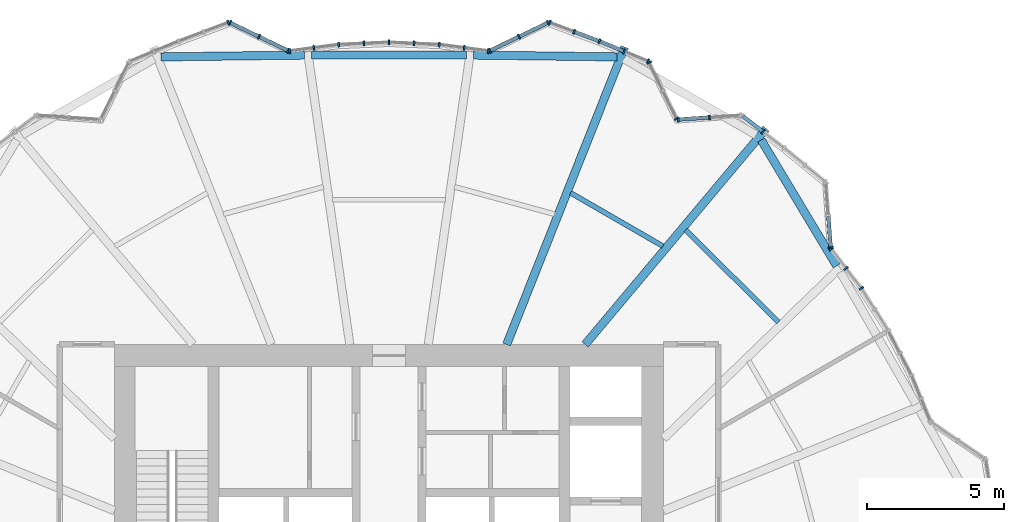
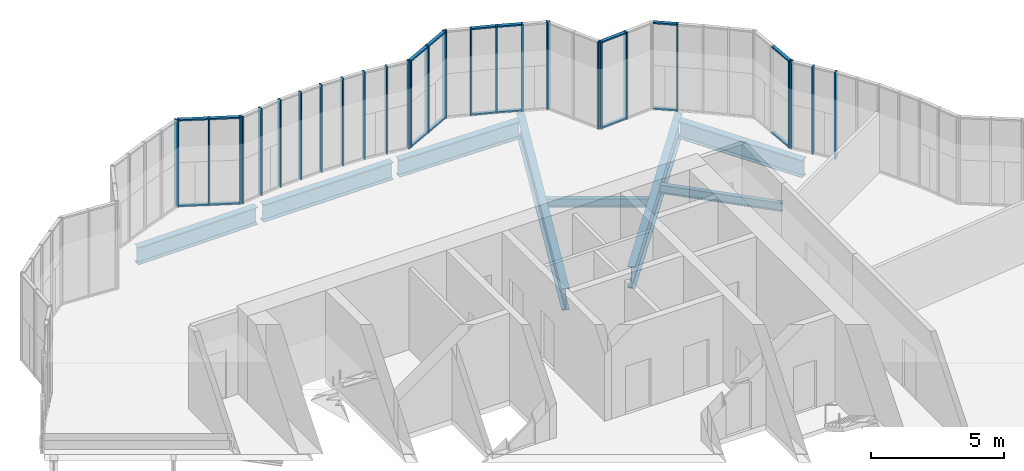
# One storey, part 7 of 22: 48 members, 8 beams, 15 elements without a shape of their own.
"""IFC4 building model written with IfcOpenShell, lengths in metres."""

from ifc_helpers import new_model, si_unit, direction, frame, origin, origin_2d, place, context, subcontext, project, spatial, rectangle, i_section, extrude, material, material_profile, profile_set, type_object, element, aggregate, save


model = new_model("IFC4")

# Units and contexts
model_context = context("Model", 3, precision=1e-05, world=origin(), true_north=direction((0.0, 1.0)))
body_context = subcontext(model_context, "Body", "Model", "MODEL_VIEW")
ifc_project = project(units=[si_unit("LENGTHUNIT", "METRE"), si_unit("AREAUNIT", "SQUARE_METRE"), si_unit("VOLUMEUNIT", "CUBIC_METRE"), si_unit("PLANEANGLEUNIT", "RADIAN"), si_unit("MASSUNIT", "GRAM", prefix="KILO")], contexts=[model_context])

# Site, building, storey
site_placement = place(None, origin())
site = spatial("IfcSite", under=ifc_project, at=site_placement, CompositionType="ELEMENT")
building_placement = place(site_placement, origin())
building = spatial("IfcBuilding", under=site, at=building_placement, Name="Golbaran Civic Tower", CompositionType="ELEMENT")
storey_placement = place(building_placement, frame((0.0, 0.0, 29.0)))
storey = spatial("IfcBuildingStorey", under=building, at=storey_placement, Name="L06", CompositionType="ELEMENT", Elevation=29.0)

# Beams
ifc_material_1 = material(Name="Steel S355", Category="steel")
ifc_material_profile_1 = material_profile(ifc_material_1, i_section(OverallWidth=0.300048828125, OverallDepth=0.800048828125, WebThickness=0.017578125, FlangeThickness=0.032958984375, FilletRadius=0.030029296875, at=origin_2d()), Name="HEB 800")
ifc_profile_set_1 = profile_set([ifc_material_profile_1], Name="Steel S355")
beam_type_1 = type_object("IfcBeamType", Name="EDGE BEAM HEB 800", PredefinedType="BEAM", material=ifc_profile_set_1)
beam_1_placement = place(storey_placement, frame((16.306640625, 12.86474609375, -0.60009765625), z_axis=(-0.514509191059, 0.85748486419, 0.0), x_axis=(-0.85748486419, -0.514509191059, 0.0)))
element("IfcBeam", 1, at=beam_1_placement, inside=storey, type_object=beam_type_1, Name="Edge beam 38.17 L06", PredefinedType="BEAM", context=body_context, shape_type="SweptSolid", body=[
    extrude(i_section(OverallWidth=0.300048828125, OverallDepth=0.800048828125, WebThickness=0.017578125, FlangeThickness=0.032958984375, FilletRadius=0.030029296875, at=origin_2d()), origin(), (0.0, 0.0, 1.0), 5.344482421875),
])
beam_2_placement = place(storey_placement, frame((8.302734375, 20.47509765625, -0.60009765625), z_axis=(-0.999918616473, 0.012757759606, 0.0), x_axis=(-0.012757759606, -0.999918616473, 0.0)))
element("IfcBeam", 2, at=beam_2_placement, inside=storey, type_object=beam_type_1, Name="Edge beam 67.63 L06", PredefinedType="BEAM", context=body_context, shape_type="SweptSolid", body=[
    extrude(i_section(OverallWidth=0.300048828125, OverallDepth=0.800048828125, WebThickness=0.017578125, FlangeThickness=0.032958984375, FilletRadius=0.030029296875, at=origin_2d()), origin(), (0.0, 0.0, 1.0), 5.224365234375),
])
beam_3_placement = place(storey_placement, frame((2.81640625, 20.54345703125, -0.60009765625), z_axis=(-1.0, 0.0, 0.0), x_axis=(0.0, -1.0, 0.0)))
element("IfcBeam", 3, at=beam_3_placement, inside=storey, type_object=beam_type_1, Name="Edge beam 81.83 L06", PredefinedType="BEAM", context=body_context, shape_type="SweptSolid", body=[
    extrude(i_section(OverallWidth=0.300048828125, OverallDepth=0.800048828125, WebThickness=0.017578125, FlangeThickness=0.032958984375, FilletRadius=0.030029296875, at=origin_2d()), origin(), (0.0, 0.0, 1.0), 5.6328125),
])
beam_4_placement = place(storey_placement, frame((-3.078857421875, 20.541748046875, -0.60009765625), z_axis=(-0.999918616473, -0.012757759606, 0.0), x_axis=(0.012757759606, -0.999918616473, 0.0)))
element("IfcBeam", 4, at=beam_4_placement, inside=storey, type_object=beam_type_1, Name="Edge beam 98.17 L06", PredefinedType="BEAM", context=body_context, shape_type="SweptSolid", body=[
    extrude(i_section(OverallWidth=0.300048828125, OverallDepth=0.800048828125, WebThickness=0.017578125, FlangeThickness=0.032958984375, FilletRadius=0.030029296875, at=origin_2d()), origin(), (0.0, 0.0, 1.0), 5.224365234375),
])
ifc_material_profile_2 = material_profile(ifc_material_1, i_section(OverallWidth=0.179931640625, OverallDepth=0.39990234375, WebThickness=0.008544921875, FlangeThickness=0.013427734375, FilletRadius=0.02099609375, at=origin_2d()), Name="IPE 400")
ifc_profile_set_2 = profile_set([ifc_material_profile_2], Name="Steel S355")
beam_type_2 = type_object("IfcBeamType", Name="FLOOR INFILL BEAM IPE 400", PredefinedType="BEAM", material=ifc_profile_set_2)
beam_5_placement = place(storey_placement, frame((14.18994140625, 10.813232421875, -0.39990234375), z_axis=(-0.710429956517, 0.703767914077, 0.0), x_axis=(-0.703767914077, -0.710429956517, 0.0)))
element("IfcBeam", 5, at=beam_5_placement, inside=storey, type_object=beam_type_2, Name="Infill beam 45.27 L06", PredefinedType="BEAM", context=body_context, shape_type="SweptSolid", body=[
    extrude(i_section(OverallWidth=0.179931640625, OverallDepth=0.39990234375, WebThickness=0.008544921875, FlangeThickness=0.013427734375, FilletRadius=0.02099609375, at=origin_2d()), origin(), (0.0, 0.0, 1.0), 4.76416015625),
])
beam_6_placement = place(storey_placement, frame((9.97607421875, 13.58154296875, -0.39990234375), z_axis=(-0.866023143435, 0.50000391502, 0.0), x_axis=(-0.50000391502, -0.866023143435, 0.0)))
element("IfcBeam", 6, at=beam_6_placement, inside=storey, type_object=beam_type_2, Name="Infill beam 60.00 L06", PredefinedType="BEAM", context=body_context, shape_type="SweptSolid", body=[
    extrude(i_section(OverallWidth=0.179931640625, OverallDepth=0.39990234375, WebThickness=0.008544921875, FlangeThickness=0.013427734375, FilletRadius=0.02099609375, at=origin_2d()), origin(), (0.0, 0.0, 1.0), 3.87939453125),
])

# Curtain wall, member
ifc_material_2 = material(Name="Aluminium and glass", Category="aluminium")
curtain_wall_type = type_object("IfcCurtainWallType", Name="INNER SKIN CURTAIN WALL", PredefinedType="NOTDEFINED", material=ifc_material_2)
curtain_wall_1_placement = place(storey_placement, origin())
curtain_wall_1 = element("IfcCurtainWall", 7, at=curtain_wall_1_placement, inside=storey, type_object=curtain_wall_type, Name="Inner skin L06 facet 7 CW1", ObjectType="INNER SKIN", PredefinedType="USERDEFINED")
ifc_material_3 = material(Name="Aluminium", Category="aluminium")
ifc_material_profile_3 = material_profile(ifc_material_3, rectangle(XDim=0.179931640625, YDim=0.06494140625, at=origin_2d()), Name="INNER SKIN CURTAIN WALL MULLION")
ifc_profile_set_3 = profile_set([ifc_material_profile_3], Name="Aluminium")
member_type_1 = type_object("IfcMemberType", Name="INNER SKIN CURTAIN WALL MULLION", PredefinedType="MULLION", material=ifc_profile_set_3)
member_1_placement = place(storey_placement, frame((17.206298828125, 12.0478515625, 0.0), z_axis=(0.0, 0.0, 1.0), x_axis=(-0.819152044349, -0.573576436265, 0.0)))
member_1 = element("IfcMember", 8, at=member_1_placement, type_object=member_type_1, Name="CW1 mullion 3", PredefinedType="MULLION", context=body_context, shape_type="SweptSolid", body=[
    extrude(rectangle(XDim=0.179931640625, YDim=0.06494140625, at=origin_2d()), origin(), (0.0, 0.0, 1.0), 4.0),
])
aggregate(curtain_wall_1, [member_1])

# Curtain wall, members
curtain_wall_2_placement = place(storey_placement, origin())
curtain_wall_2 = element("IfcCurtainWall", 9, at=curtain_wall_2_placement, inside=storey, type_object=curtain_wall_type, Name="Inner skin L06 facet 8 CW1", ObjectType="INNER SKIN", PredefinedType="USERDEFINED")
member_2_placement = place(storey_placement, frame((16.6484375, 12.77490234375, 0.0), z_axis=(0.0, 0.0, 1.0), x_axis=(-0.793353340259, -0.60876142905, 0.0)))
member_2 = element("IfcMember", 10, at=member_2_placement, type_object=member_type_1, Name="CW1 mullion 2", PredefinedType="MULLION", context=body_context, shape_type="SweptSolid", body=[
    extrude(rectangle(XDim=0.179931640625, YDim=0.06494140625, at=origin_2d()), origin(), (0.0, 0.0, 1.0), 4.0),
])
member_3_placement = place(storey_placement, frame((16.110595703125, 13.47607421875, 0.0), z_axis=(0.0, 0.0, 1.0), x_axis=(-0.793353340259, -0.60876142905, 0.0)))
member_3 = element("IfcMember", 11, at=member_3_placement, type_object=member_type_1, Name="CW1 mullion 3", PredefinedType="MULLION", context=body_context, shape_type="SweptSolid", body=[
    extrude(rectangle(XDim=0.179931640625, YDim=0.06494140625, at=origin_2d()), origin(), (0.0, 0.0, 1.0), 4.0),
])
aggregate(curtain_wall_2, [member_2, member_3])

# Curtain wall, member
curtain_wall_3_placement = place(storey_placement, origin())
curtain_wall_3 = element("IfcCurtainWall", 12, at=curtain_wall_3_placement, inside=storey, type_object=curtain_wall_type, Name="Inner skin L06 facet 9 CW1", ObjectType="INNER SKIN", PredefinedType="USERDEFINED")
member_4_placement = place(storey_placement, frame((16.08837890625, 13.5341796875, 0.0), z_axis=(0.0, 0.0, 1.0), x_axis=(-0.997238388272, -0.074267065092, 0.0)))
member_4 = element("IfcMember", 13, at=member_4_placement, type_object=member_type_1, Name="CW1 mullion 1", PredefinedType="MULLION", context=body_context, shape_type="SweptSolid", body=[
    extrude(rectangle(XDim=0.179931640625, YDim=0.06494140625, at=origin_2d()), origin(), (0.0, 0.0, 1.0), 4.0),
])

curtain_wall_4_placement = place(storey_placement, origin())
curtain_wall_4 = element("IfcCurtainWall", 14, at=curtain_wall_4_placement, inside=storey, type_object=curtain_wall_type, Name="Inner skin L06 facet 11 CW1", ObjectType="INNER SKIN", PredefinedType="USERDEFINED")
member_5_placement = place(storey_placement, frame((13.6220703125, 17.752685546875, 0.0), z_axis=(0.0, 0.0, 1.0), x_axis=(-0.608761428856, -0.793353340408, 0.0)))
member_5 = element("IfcMember", 15, at=member_5_placement, type_object=member_type_1, Name="CW1 mullion 2", PredefinedType="MULLION", context=body_context, shape_type="SweptSolid", body=[
    extrude(rectangle(XDim=0.179931640625, YDim=0.06494140625, at=origin_2d()), origin(), (0.0, 0.0, 1.0), 4.0),
])

# Curtain wall, members
curtain_wall_5_placement = place(storey_placement, origin())
curtain_wall_5 = element("IfcCurtainWall", 16, at=curtain_wall_5_placement, inside=storey, type_object=curtain_wall_type, Name="Inner skin L06 facet 12 CW1", ObjectType="INNER SKIN", PredefinedType="USERDEFINED")
member_6_placement = place(storey_placement, frame((11.6748046875, 18.26904296875, 0.0), z_axis=(0.0, 0.0, 1.0), x_axis=(0.066606384387, -0.99777932909, 0.0)))
member_6 = element("IfcMember", 17, at=member_6_placement, type_object=member_type_1, Name="CW1 mullion 2", PredefinedType="MULLION", context=body_context, shape_type="SweptSolid", body=[
    extrude(rectangle(XDim=0.179931640625, YDim=0.06494140625, at=origin_2d()), origin(), (0.0, 0.0, 1.0), 4.0),
])
member_7_placement = place(storey_placement, frame((10.534912109375, 18.193115234375, 0.0), z_axis=(0.0, 0.0, 1.0), x_axis=(0.066606384387, -0.99777932909, 0.0)))
member_7 = element("IfcMember", 18, at=member_7_placement, type_object=member_type_1, Name="CW1 mullion 3", PredefinedType="MULLION", context=body_context, shape_type="SweptSolid", body=[
    extrude(rectangle(XDim=0.179931640625, YDim=0.06494140625, at=origin_2d()), origin(), (0.0, 0.0, 1.0), 4.0),
])

curtain_wall_6_placement = place(storey_placement, origin())
curtain_wall_6 = element("IfcCurtainWall", 19, at=curtain_wall_6_placement, inside=storey, type_object=curtain_wall_type, Name="Inner skin L06 facet 13 CW1", ObjectType="INNER SKIN", PredefinedType="USERDEFINED")
member_8_placement = place(storey_placement, frame((10.48828125, 18.219970703125, 0.0), z_axis=(0.0, 0.0, 1.0), x_axis=(-0.897405438418, -0.441206843893, 0.0)))
member_8 = element("IfcMember", 20, at=member_8_placement, type_object=member_type_1, Name="CW1 mullion 1", PredefinedType="MULLION", context=body_context, shape_type="SweptSolid", body=[
    extrude(rectangle(XDim=0.179931640625, YDim=0.06494140625, at=origin_2d()), origin(), (0.0, 0.0, 1.0), 4.0),
])
member_9_placement = place(storey_placement, frame((9.480224609375, 20.270263671875, 0.0), z_axis=(0.0, 0.0, 1.0), x_axis=(-0.897405438418, -0.441206843893, 0.0)))
member_9 = element("IfcMember", 21, at=member_9_placement, type_object=member_type_1, Name="CW1 mullion 3", PredefinedType="MULLION", context=body_context, shape_type="SweptSolid", body=[
    extrude(rectangle(XDim=0.179931640625, YDim=0.06494140625, at=origin_2d()), origin(), (0.0, 0.0, 1.0), 4.0),
])
aggregate(curtain_wall_6, [member_8, member_9])

curtain_wall_7_placement = place(storey_placement, origin())
curtain_wall_7 = element("IfcCurtainWall", 22, at=curtain_wall_7_placement, inside=storey, type_object=curtain_wall_type, Name="Inner skin L06 facet 14 CW1", ObjectType="INNER SKIN", PredefinedType="USERDEFINED")
member_10_placement = place(storey_placement, frame((9.435791015625, 20.31201171875, 0.0), z_axis=(0.0, 0.0, 1.0), x_axis=(-0.382683432268, -0.923879532551, 0.0)))
member_10 = element("IfcMember", 23, at=member_10_placement, type_object=member_type_1, Name="CW1 mullion 1", PredefinedType="MULLION", context=body_context, shape_type="SweptSolid", body=[
    extrude(rectangle(XDim=0.179931640625, YDim=0.06494140625, at=origin_2d()), origin(), (0.0, 0.0, 1.0), 4.0),
])
member_11_placement = place(storey_placement, frame((8.563232421875, 20.67333984375, 0.0), z_axis=(0.0, 0.0, 1.0), x_axis=(-0.382683432268, -0.923879532551, 0.0)))
member_11 = element("IfcMember", 24, at=member_11_placement, type_object=member_type_1, Name="CW1 mullion 2", PredefinedType="MULLION", context=body_context, shape_type="SweptSolid", body=[
    extrude(rectangle(XDim=0.179931640625, YDim=0.06494140625, at=origin_2d()), origin(), (0.0, 0.0, 1.0), 4.0),
])
member_12_placement = place(storey_placement, frame((7.66064453125, 21.047119140625, 0.0), z_axis=(0.0, 0.0, 1.0), x_axis=(-0.366799627898, -0.930299969351, 0.0)))
member_12 = element("IfcMember", 25, at=member_12_placement, type_object=member_type_1, Name="CW1 mullion 3", PredefinedType="MULLION", context=body_context, shape_type="SweptSolid", body=[
    extrude(rectangle(XDim=0.179931640625, YDim=0.06494140625, at=origin_2d()), origin(), (0.0, 0.0, 1.0), 4.0),
])

curtain_wall_8_placement = place(storey_placement, origin())
curtain_wall_8 = element("IfcCurtainWall", 26, at=curtain_wall_8_placement, inside=storey, type_object=curtain_wall_type, Name="Inner skin L06 facet 15 CW1", ObjectType="INNER SKIN", PredefinedType="USERDEFINED")
member_13_placement = place(storey_placement, frame((6.7421875, 21.391357421875, 0.0), z_axis=(0.0, 0.0, 1.0), x_axis=(-0.350808161461, -0.936447347079, 0.0)))
member_13 = element("IfcMember", 27, at=member_13_placement, type_object=member_type_1, Name="CW1 mullion 2", PredefinedType="MULLION", context=body_context, shape_type="SweptSolid", body=[
    extrude(rectangle(XDim=0.179931640625, YDim=0.06494140625, at=origin_2d()), origin(), (0.0, 0.0, 1.0), 4.0),
])
member_14_placement = place(storey_placement, frame((5.8544921875, 21.723876953125, 0.0), z_axis=(0.0, 0.0, 1.0), x_axis=(-0.350808161461, -0.936447347079, 0.0)))
member_14 = element("IfcMember", 28, at=member_14_placement, type_object=member_type_1, Name="CW1 mullion 3", PredefinedType="MULLION", context=body_context, shape_type="SweptSolid", body=[
    extrude(rectangle(XDim=0.179931640625, YDim=0.06494140625, at=origin_2d()), origin(), (0.0, 0.0, 1.0), 4.0),
])

curtain_wall_9_placement = place(storey_placement, origin())
curtain_wall_9 = element("IfcCurtainWall", 29, at=curtain_wall_9_placement, inside=storey, type_object=curtain_wall_type, Name="Inner skin L06 facet 16 CW1", ObjectType="INNER SKIN", PredefinedType="USERDEFINED")
member_15_placement = place(storey_placement, frame((5.794677734375, 21.72119140625, 0.0), z_axis=(0.0, 0.0, 1.0), x_axis=(0.434302029259, -0.900767310343, 0.0)))
member_15 = element("IfcMember", 30, at=member_15_placement, type_object=member_type_1, Name="CW1 mullion 1", PredefinedType="MULLION", context=body_context, shape_type="SweptSolid", body=[
    extrude(rectangle(XDim=0.179931640625, YDim=0.06494140625, at=origin_2d()), origin(), (0.0, 0.0, 1.0), 4.0),
])
member_16_placement = place(storey_placement, frame((4.735595703125, 21.210693359375, 0.0), z_axis=(0.0, 0.0, 1.0), x_axis=(0.434302029259, -0.900767310343, 0.0)))
member_16 = element("IfcMember", 31, at=member_16_placement, type_object=member_type_1, Name="CW1 mullion 2", PredefinedType="MULLION", context=body_context, shape_type="SweptSolid", body=[
    extrude(rectangle(XDim=0.179931640625, YDim=0.06494140625, at=origin_2d()), origin(), (0.0, 0.0, 1.0), 4.0),
])
member_17_placement = place(storey_placement, frame((3.6767578125, 20.699951171875, 0.0), z_axis=(0.0, 0.0, 1.0), x_axis=(0.434302029259, -0.900767310343, 0.0)))
member_17 = element("IfcMember", 32, at=member_17_placement, type_object=member_type_1, Name="CW1 mullion 3", PredefinedType="MULLION", context=body_context, shape_type="SweptSolid", body=[
    extrude(rectangle(XDim=0.179931640625, YDim=0.06494140625, at=origin_2d()), origin(), (0.0, 0.0, 1.0), 4.0),
])

curtain_wall_10_placement = place(storey_placement, origin())
curtain_wall_10 = element("IfcCurtainWall", 33, at=curtain_wall_10_placement, inside=storey, type_object=curtain_wall_type, Name="Inner skin L06 facet 17 CW1", ObjectType="INNER SKIN", PredefinedType="USERDEFINED")
member_18_placement = place(storey_placement, frame((3.615234375, 20.690185546875, 0.0), z_axis=(0.0, 0.0, 1.0), x_axis=(-0.130526191978, -0.991444861406, 0.0)))
member_18 = element("IfcMember", 34, at=member_18_placement, type_object=member_type_1, Name="CW1 mullion 1", PredefinedType="MULLION", context=body_context, shape_type="SweptSolid", body=[
    extrude(rectangle(XDim=0.179931640625, YDim=0.06494140625, at=origin_2d()), origin(), (0.0, 0.0, 1.0), 4.0),
])
member_19_placement = place(storey_placement, frame((2.739013671875, 20.805419921875, 0.0), z_axis=(0.0, 0.0, 1.0), x_axis=(-0.130526191978, -0.991444861406, 0.0)))
member_19 = element("IfcMember", 35, at=member_19_placement, type_object=member_type_1, Name="CW1 mullion 2", PredefinedType="MULLION", context=body_context, shape_type="SweptSolid", body=[
    extrude(rectangle(XDim=0.179931640625, YDim=0.06494140625, at=origin_2d()), origin(), (0.0, 0.0, 1.0), 4.0),
])
member_20_placement = place(storey_placement, frame((1.830810546875, 20.925048828125, 0.0), z_axis=(0.0, 0.0, 1.0), x_axis=(-0.087155742748, -0.996194698092, 0.0)))
member_20 = element("IfcMember", 36, at=member_20_placement, type_object=member_type_1, Name="CW1 mullion 3", PredefinedType="MULLION", context=body_context, shape_type="SweptSolid", body=[
    extrude(rectangle(XDim=0.179931640625, YDim=0.06494140625, at=origin_2d()), origin(), (0.0, 0.0, 1.0), 4.0),
])
aggregate(curtain_wall_10, [member_18, member_19, member_20])

curtain_wall_11_placement = place(storey_placement, origin())
curtain_wall_11 = element("IfcCurtainWall", 37, at=curtain_wall_11_placement, inside=storey, type_object=curtain_wall_type, Name="Inner skin L06 facet 18 CW1", ObjectType="INNER SKIN", PredefinedType="USERDEFINED")
member_21_placement = place(storey_placement, frame((0.915283203125, 20.965087890625, 0.0), z_axis=(0.0, 0.0, 1.0), x_axis=(-0.043619387609, -0.999048221571, 0.0)))
member_21 = element("IfcMember", 38, at=member_21_placement, type_object=member_type_1, Name="CW1 mullion 2", PredefinedType="MULLION", context=body_context, shape_type="SweptSolid", body=[
    extrude(rectangle(XDim=0.179931640625, YDim=0.06494140625, at=origin_2d()), origin(), (0.0, 0.0, 1.0), 4.0),
])
member_22_placement = place(storey_placement, frame((0.0, 21.0048828125, 0.0), z_axis=(0.0, 0.0, 1.0), x_axis=(-1.22e-10, -1.0, 0.0)))
member_22 = element("IfcMember", 39, at=member_22_placement, type_object=member_type_1, Name="CW1 mullion 3", PredefinedType="MULLION", context=body_context, shape_type="SweptSolid", body=[
    extrude(rectangle(XDim=0.179931640625, YDim=0.06494140625, at=origin_2d()), origin(), (0.0, 0.0, 1.0), 4.0),
])
aggregate(curtain_wall_11, [member_21, member_22])

curtain_wall_12_placement = place(storey_placement, origin())
curtain_wall_12 = element("IfcCurtainWall", 40, at=curtain_wall_12_placement, inside=storey, type_object=curtain_wall_type, Name="Inner skin L06 facet 19 CW1", ObjectType="INNER SKIN", PredefinedType="USERDEFINED")
member_23_placement = place(storey_placement, frame((-0.915283203125, 20.965087890625, 0.0), z_axis=(0.0, 0.0, 1.0), x_axis=(0.043619387609, -0.999048221571, 0.0)))
member_23 = element("IfcMember", 41, at=member_23_placement, type_object=member_type_1, Name="CW1 mullion 2", PredefinedType="MULLION", context=body_context, shape_type="SweptSolid", body=[
    extrude(rectangle(XDim=0.179931640625, YDim=0.06494140625, at=origin_2d()), origin(), (0.0, 0.0, 1.0), 4.0),
])
member_24_placement = place(storey_placement, frame((-1.830810546875, 20.925048828125, 0.0), z_axis=(0.0, 0.0, 1.0), x_axis=(0.08715574273, -0.996194698093, 0.0)))
member_24 = element("IfcMember", 42, at=member_24_placement, type_object=member_type_1, Name="CW1 mullion 3", PredefinedType="MULLION", context=body_context, shape_type="SweptSolid", body=[
    extrude(rectangle(XDim=0.179931640625, YDim=0.06494140625, at=origin_2d()), origin(), (0.0, 0.0, 1.0), 4.0),
])
aggregate(curtain_wall_12, [member_23, member_24])

curtain_wall_13_placement = place(storey_placement, origin())
curtain_wall_13 = element("IfcCurtainWall", 43, at=curtain_wall_13_placement, inside=storey, type_object=curtain_wall_type, Name="Inner skin L06 facet 20 CW1", ObjectType="INNER SKIN", PredefinedType="USERDEFINED")
member_25_placement = place(storey_placement, frame((-2.739013671875, 20.805419921875, 0.0), z_axis=(0.0, 0.0, 1.0), x_axis=(0.130526191978, -0.991444861406, 0.0)))
member_25 = element("IfcMember", 44, at=member_25_placement, type_object=member_type_1, Name="CW1 mullion 2", PredefinedType="MULLION", context=body_context, shape_type="SweptSolid", body=[
    extrude(rectangle(XDim=0.179931640625, YDim=0.06494140625, at=origin_2d()), origin(), (0.0, 0.0, 1.0), 4.0),
])
member_26_placement = place(storey_placement, frame((-3.615234375, 20.690185546875, 0.0), z_axis=(0.0, 0.0, 1.0), x_axis=(0.130526191978, -0.991444861406, 0.0)))
member_26 = element("IfcMember", 45, at=member_26_placement, type_object=member_type_1, Name="CW1 mullion 3", PredefinedType="MULLION", context=body_context, shape_type="SweptSolid", body=[
    extrude(rectangle(XDim=0.179931640625, YDim=0.06494140625, at=origin_2d()), origin(), (0.0, 0.0, 1.0), 4.0),
])
aggregate(curtain_wall_13, [member_25, member_26])

curtain_wall_14_placement = place(storey_placement, origin())
curtain_wall_14 = element("IfcCurtainWall", 46, at=curtain_wall_14_placement, inside=storey, type_object=curtain_wall_type, Name="Inner skin L06 facet 21 CW1", ObjectType="INNER SKIN", PredefinedType="USERDEFINED")
member_27_placement = place(storey_placement, frame((-3.6767578125, 20.699951171875, 0.0), z_axis=(0.0, 0.0, 1.0), x_axis=(-0.434302029259, -0.900767310343, 0.0)))
member_27 = element("IfcMember", 47, at=member_27_placement, type_object=member_type_1, Name="CW1 mullion 1", PredefinedType="MULLION", context=body_context, shape_type="SweptSolid", body=[
    extrude(rectangle(XDim=0.179931640625, YDim=0.06494140625, at=origin_2d()), origin(), (0.0, 0.0, 1.0), 4.0),
])
member_28_placement = place(storey_placement, frame((-4.735595703125, 21.210693359375, 0.0), z_axis=(0.0, 0.0, 1.0), x_axis=(-0.434302029259, -0.900767310343, 0.0)))
member_28 = element("IfcMember", 48, at=member_28_placement, type_object=member_type_1, Name="CW1 mullion 2", PredefinedType="MULLION", context=body_context, shape_type="SweptSolid", body=[
    extrude(rectangle(XDim=0.179931640625, YDim=0.06494140625, at=origin_2d()), origin(), (0.0, 0.0, 1.0), 4.0),
])
member_29_placement = place(storey_placement, frame((-5.794677734375, 21.72119140625, 0.0), z_axis=(0.0, 0.0, 1.0), x_axis=(-0.434302029259, -0.900767310343, 0.0)))
member_29 = element("IfcMember", 49, at=member_29_placement, type_object=member_type_1, Name="CW1 mullion 3", PredefinedType="MULLION", context=body_context, shape_type="SweptSolid", body=[
    extrude(rectangle(XDim=0.179931640625, YDim=0.06494140625, at=origin_2d()), origin(), (0.0, 0.0, 1.0), 4.0),
])

# Curtain wall, member
curtain_wall_15_placement = place(storey_placement, origin())
curtain_wall_15 = element("IfcCurtainWall", 50, at=curtain_wall_15_placement, inside=storey, type_object=curtain_wall_type, Name="Inner skin L06 facet 22 CW1", ObjectType="INNER SKIN", PredefinedType="USERDEFINED")
member_30_placement = place(storey_placement, frame((-5.8544921875, 21.723876953125, 0.0), z_axis=(0.0, 0.0, 1.0), x_axis=(0.350808161461, -0.936447347079, 0.0)))
member_30 = element("IfcMember", 51, at=member_30_placement, type_object=member_type_1, Name="CW1 mullion 1", PredefinedType="MULLION", context=body_context, shape_type="SweptSolid", body=[
    extrude(rectangle(XDim=0.179931640625, YDim=0.06494140625, at=origin_2d()), origin(), (0.0, 0.0, 1.0), 4.0),
])
aggregate(curtain_wall_15, [member_30])

# Member
ifc_material_profile_4 = material_profile(ifc_material_3, rectangle(XDim=0.139892578125, YDim=0.06494140625, at=origin_2d()), Name="INNER SKIN CURTAIN WALL TRANSOM")
ifc_profile_set_4 = profile_set([ifc_material_profile_4], Name="Aluminium")
member_type_2 = type_object("IfcMemberType", Name="INNER SKIN CURTAIN WALL TRANSOM", PredefinedType="USERDEFINED", material=ifc_profile_set_4)
member_31_placement = place(storey_placement, frame((16.0859375, 13.566650390625, 0.032470703125), z_axis=(-0.074308977059, 0.997235266087, 0.0), x_axis=(-0.997235266087, -0.074308977059, 0.0)))
member_31 = element("IfcMember", 52, at=member_31_placement, type_object=member_type_2, Name="CW1 transom 1.1", ObjectType="TRANSOM", PredefinedType="USERDEFINED", context=body_context, shape_type="SweptSolid", body=[
    extrude(rectangle(XDim=0.139892578125, YDim=0.06494140625, at=origin_2d()), origin(), (0.0, 0.0, 1.0), 1.110595703125),
])

member_32_placement = place(storey_placement, frame((16.0859375, 13.566650390625, 3.967529296875), z_axis=(-0.074308977059, 0.997235266087, 0.0), x_axis=(-0.997235266087, -0.074308977059, 0.0)))
member_32 = element("IfcMember", 53, at=member_32_placement, type_object=member_type_2, Name="CW1 transom 1.2", ObjectType="TRANSOM", PredefinedType="USERDEFINED", context=body_context, shape_type="SweptSolid", body=[
    extrude(rectangle(XDim=0.139892578125, YDim=0.06494140625, at=origin_2d()), origin(), (0.0, 0.0, 1.0), 1.110595703125),
])

aggregate(curtain_wall_3, [member_4, member_31, member_32])

member_33_placement = place(storey_placement, frame((13.59619140625, 17.7724609375, 0.032470703125), z_axis=(-0.793356092885, 0.608757841742, 0.0), x_axis=(-0.608757841742, -0.793356092885, 0.0)))
member_33 = element("IfcMember", 54, at=member_33_placement, type_object=member_type_2, Name="CW1 transom 2.1", ObjectType="TRANSOM", PredefinedType="USERDEFINED", context=body_context, shape_type="SweptSolid", body=[
    extrude(rectangle(XDim=0.139892578125, YDim=0.06494140625, at=origin_2d()), origin(), (0.0, 0.0, 1.0), 0.87939453125),
])

member_34_placement = place(storey_placement, frame((13.59619140625, 17.7724609375, 3.967529296875), z_axis=(-0.793356092885, 0.608757841742, 0.0), x_axis=(-0.608757841742, -0.793356092885, 0.0)))
member_34 = element("IfcMember", 55, at=member_34_placement, type_object=member_type_2, Name="CW1 transom 2.2", ObjectType="TRANSOM", PredefinedType="USERDEFINED", context=body_context, shape_type="SweptSolid", body=[
    extrude(rectangle(XDim=0.139892578125, YDim=0.06494140625, at=origin_2d()), origin(), (0.0, 0.0, 1.0), 0.87939453125),
])

aggregate(curtain_wall_4, [member_5, member_33, member_34])

member_35_placement = place(storey_placement, frame((11.642333984375, 18.266845703125, 0.032470703125), z_axis=(-0.99779317243, -0.066398682608, 0.0), x_axis=(0.066398682608, -0.99779317243, 0.0)))
member_35 = element("IfcMember", 56, at=member_35_placement, type_object=member_type_2, Name="CW1 transom 2.1", ObjectType="TRANSOM", PredefinedType="USERDEFINED", context=body_context, shape_type="SweptSolid", body=[
    extrude(rectangle(XDim=0.139892578125, YDim=0.06494140625, at=origin_2d()), origin(), (0.0, 0.0, 1.0), 1.077392578125),
])

member_36_placement = place(storey_placement, frame((11.642333984375, 18.266845703125, 3.967529296875), z_axis=(-0.99779317243, -0.066398682608, 0.0), x_axis=(0.066398682608, -0.99779317243, 0.0)))
member_36 = element("IfcMember", 57, at=member_36_placement, type_object=member_type_2, Name="CW1 transom 2.2", ObjectType="TRANSOM", PredefinedType="USERDEFINED", context=body_context, shape_type="SweptSolid", body=[
    extrude(rectangle(XDim=0.139892578125, YDim=0.06494140625, at=origin_2d()), origin(), (0.0, 0.0, 1.0), 1.077392578125),
])

aggregate(curtain_wall_5, [member_6, member_7, member_35, member_36])

member_37_placement = place(storey_placement, frame((8.533203125, 20.685791015625, 0.032470703125), z_axis=(-0.923827563852, 0.382808871721, 0.0), x_axis=(-0.382808871721, -0.923827563852, 0.0)))
member_37 = element("IfcMember", 58, at=member_37_placement, type_object=member_type_2, Name="CW1 transom 2.1", ObjectType="TRANSOM", PredefinedType="USERDEFINED", context=body_context, shape_type="SweptSolid", body=[
    extrude(rectangle(XDim=0.139892578125, YDim=0.06494140625, at=origin_2d()), origin(), (0.0, 0.0, 1.0), 0.912109375),
])

member_38_placement = place(storey_placement, frame((8.533203125, 20.685791015625, 3.967529296875), z_axis=(-0.923827563852, 0.382808871721, 0.0), x_axis=(-0.382808871721, -0.923827563852, 0.0)))
member_38 = element("IfcMember", 59, at=member_38_placement, type_object=member_type_2, Name="CW1 transom 2.2", ObjectType="TRANSOM", PredefinedType="USERDEFINED", context=body_context, shape_type="SweptSolid", body=[
    extrude(rectangle(XDim=0.139892578125, YDim=0.06494140625, at=origin_2d()), origin(), (0.0, 0.0, 1.0), 0.912109375),
])

aggregate(curtain_wall_7, [member_10, member_11, member_12, member_37, member_38])

member_39_placement = place(storey_placement, frame((7.630126953125, 21.05859375, 0.032470703125), z_axis=(-0.936416808714, 0.35088966978, 0.0), x_axis=(-0.35088966978, -0.936416808714, 0.0)))
member_39 = element("IfcMember", 60, at=member_39_placement, type_object=member_type_2, Name="CW1 transom 1.1", ObjectType="TRANSOM", PredefinedType="USERDEFINED", context=body_context, shape_type="SweptSolid", body=[
    extrude(rectangle(XDim=0.139892578125, YDim=0.06494140625, at=origin_2d()), origin(), (0.0, 0.0, 1.0), 0.91552734375),
])

member_40_placement = place(storey_placement, frame((7.630126953125, 21.05859375, 3.967529296875), z_axis=(-0.936416808714, 0.35088966978, 0.0), x_axis=(-0.35088966978, -0.936416808714, 0.0)))
member_40 = element("IfcMember", 61, at=member_40_placement, type_object=member_type_2, Name="CW1 transom 1.2", ObjectType="TRANSOM", PredefinedType="USERDEFINED", context=body_context, shape_type="SweptSolid", body=[
    extrude(rectangle(XDim=0.139892578125, YDim=0.06494140625, at=origin_2d()), origin(), (0.0, 0.0, 1.0), 0.91552734375),
])

aggregate(curtain_wall_8, [member_13, member_14, member_39, member_40])

member_41_placement = place(storey_placement, frame((5.765380859375, 21.70703125, 0.032470703125), z_axis=(-0.900753325864, -0.434331032676, 0.0), x_axis=(0.434331032676, -0.900753325864, 0.0)))
member_41 = element("IfcMember", 62, at=member_41_placement, type_object=member_type_2, Name="CW1 transom 1.1", ObjectType="TRANSOM", PredefinedType="USERDEFINED", context=body_context, shape_type="SweptSolid", body=[
    extrude(rectangle(XDim=0.139892578125, YDim=0.06494140625, at=origin_2d()), origin(), (0.0, 0.0, 1.0), 1.11083984375),
])

member_42_placement = place(storey_placement, frame((5.765380859375, 21.70703125, 3.967529296875), z_axis=(-0.900753325864, -0.434331032676, 0.0), x_axis=(0.434331032676, -0.900753325864, 0.0)))
member_42 = element("IfcMember", 63, at=member_42_placement, type_object=member_type_2, Name="CW1 transom 1.2", ObjectType="TRANSOM", PredefinedType="USERDEFINED", context=body_context, shape_type="SweptSolid", body=[
    extrude(rectangle(XDim=0.139892578125, YDim=0.06494140625, at=origin_2d()), origin(), (0.0, 0.0, 1.0), 1.11083984375),
])

member_43_placement = place(storey_placement, frame((4.70654296875, 21.196533203125, 0.032470703125), z_axis=(-0.900753325864, -0.434331032676, 0.0), x_axis=(0.434331032676, -0.900753325864, 0.0)))
member_43 = element("IfcMember", 64, at=member_43_placement, type_object=member_type_2, Name="CW1 transom 2.1", ObjectType="TRANSOM", PredefinedType="USERDEFINED", context=body_context, shape_type="SweptSolid", body=[
    extrude(rectangle(XDim=0.139892578125, YDim=0.06494140625, at=origin_2d()), origin(), (0.0, 0.0, 1.0), 1.11083984375),
])

member_44_placement = place(storey_placement, frame((4.70654296875, 21.196533203125, 3.967529296875), z_axis=(-0.900753325864, -0.434331032676, 0.0), x_axis=(0.434331032676, -0.900753325864, 0.0)))
member_44 = element("IfcMember", 65, at=member_44_placement, type_object=member_type_2, Name="CW1 transom 2.2", ObjectType="TRANSOM", PredefinedType="USERDEFINED", context=body_context, shape_type="SweptSolid", body=[
    extrude(rectangle(XDim=0.139892578125, YDim=0.06494140625, at=origin_2d()), origin(), (0.0, 0.0, 1.0), 1.11083984375),
])

aggregate(curtain_wall_9, [member_15, member_16, member_17, member_41, member_42, member_43, member_44])

member_45_placement = place(storey_placement, frame((-3.7060546875, 20.714111328125, 0.032470703125), z_axis=(-0.900753325864, 0.434331032676, 0.0), x_axis=(-0.434331032676, -0.900753325864, 0.0)))
member_45 = element("IfcMember", 66, at=member_45_placement, type_object=member_type_2, Name="CW1 transom 1.1", ObjectType="TRANSOM", PredefinedType="USERDEFINED", context=body_context, shape_type="SweptSolid", body=[
    extrude(rectangle(XDim=0.139892578125, YDim=0.06494140625, at=origin_2d()), origin(), (0.0, 0.0, 1.0), 1.11083984375),
])

member_46_placement = place(storey_placement, frame((-3.7060546875, 20.714111328125, 3.967529296875), z_axis=(-0.900753325864, 0.434331032676, 0.0), x_axis=(-0.434331032676, -0.900753325864, 0.0)))
member_46 = element("IfcMember", 67, at=member_46_placement, type_object=member_type_2, Name="CW1 transom 1.2", ObjectType="TRANSOM", PredefinedType="USERDEFINED", context=body_context, shape_type="SweptSolid", body=[
    extrude(rectangle(XDim=0.139892578125, YDim=0.06494140625, at=origin_2d()), origin(), (0.0, 0.0, 1.0), 1.11083984375),
])

member_47_placement = place(storey_placement, frame((-4.764892578125, 21.224609375, 0.032470703125), z_axis=(-0.900753325864, 0.434331032676, 0.0), x_axis=(-0.434331032676, -0.900753325864, 0.0)))
member_47 = element("IfcMember", 68, at=member_47_placement, type_object=member_type_2, Name="CW1 transom 2.1", ObjectType="TRANSOM", PredefinedType="USERDEFINED", context=body_context, shape_type="SweptSolid", body=[
    extrude(rectangle(XDim=0.139892578125, YDim=0.06494140625, at=origin_2d()), origin(), (0.0, 0.0, 1.0), 1.11083984375),
])

member_48_placement = place(storey_placement, frame((-4.764892578125, 21.224609375, 3.967529296875), z_axis=(-0.900753325864, 0.434331032676, 0.0), x_axis=(-0.434331032676, -0.900753325864, 0.0)))
member_48 = element("IfcMember", 69, at=member_48_placement, type_object=member_type_2, Name="CW1 transom 2.2", ObjectType="TRANSOM", PredefinedType="USERDEFINED", context=body_context, shape_type="SweptSolid", body=[
    extrude(rectangle(XDim=0.139892578125, YDim=0.06494140625, at=origin_2d()), origin(), (0.0, 0.0, 1.0), 1.11083984375),
])

aggregate(curtain_wall_14, [member_27, member_28, member_29, member_45, member_46, member_47, member_48])

# Beams
ifc_material_profile_5 = material_profile(ifc_material_1, i_section(OverallWidth=0.300048828125, OverallDepth=1.0, WebThickness=0.01904296875, FlangeThickness=0.035888671875, FilletRadius=0.030029296875, at=origin_2d()), Name="HEB 1000")
ifc_profile_set_5 = profile_set([ifc_material_profile_5], Name="Steel S355")
beam_type_3 = type_object("IfcBeamType", Name="RADIAL FLOOR BEAM HEB 1000", PredefinedType="BEAM", material=ifc_profile_set_5)
beam_7_placement = place(storey_placement, frame((7.142822265625, 10.0, -0.7099609375), z_axis=(0.642484295508, 0.766298851641, 0.0), x_axis=(-0.766298851641, 0.642484295508, 0.0)))
element("IfcBeam", 70, at=beam_7_placement, inside=storey, type_object=beam_type_3, Name="Radial beam 52.37 L06", PredefinedType="BEAM", context=body_context, shape_type="SweptSolid", body=[
    extrude(i_section(OverallWidth=0.300048828125, OverallDepth=1.0, WebThickness=0.01904296875, FlangeThickness=0.035888671875, FilletRadius=0.030029296875, at=origin_2d()), origin(), (0.0, 0.0, 1.0), 10.261474609375),
])
beam_8_placement = place(storey_placement, frame((4.28564453125, 10.0, -0.7099609375), z_axis=(0.368861889552, 0.92948421527, 0.0), x_axis=(-0.92948421527, 0.368861889552, 0.0)))
element("IfcBeam", 71, at=beam_8_placement, inside=storey, type_object=beam_type_3, Name="Radial beam 67.63 L06", PredefinedType="BEAM", context=body_context, shape_type="SweptSolid", body=[
    extrude(i_section(OverallWidth=0.300048828125, OverallDepth=1.0, WebThickness=0.01904296875, FlangeThickness=0.035888671875, FilletRadius=0.030029296875, at=origin_2d()), origin(), (0.0, 0.0, 1.0), 11.658203125),
])

save(model, "model.ifc")
